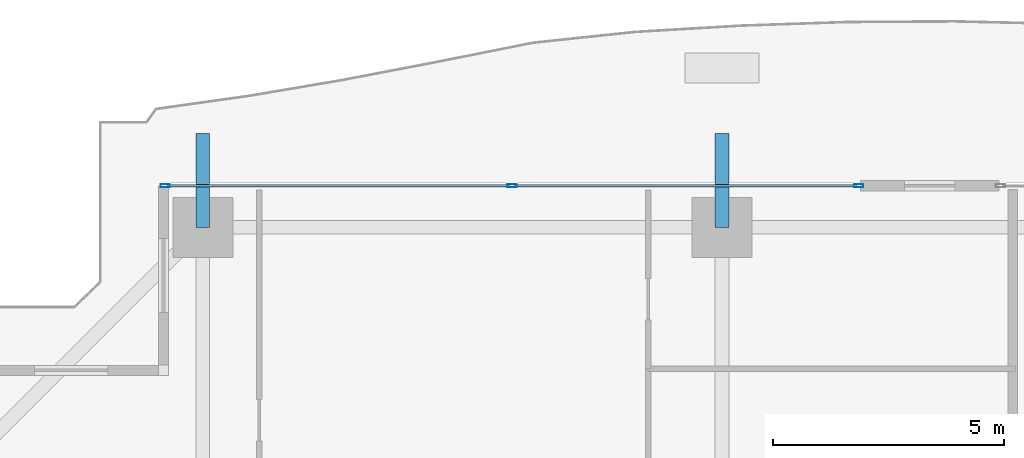
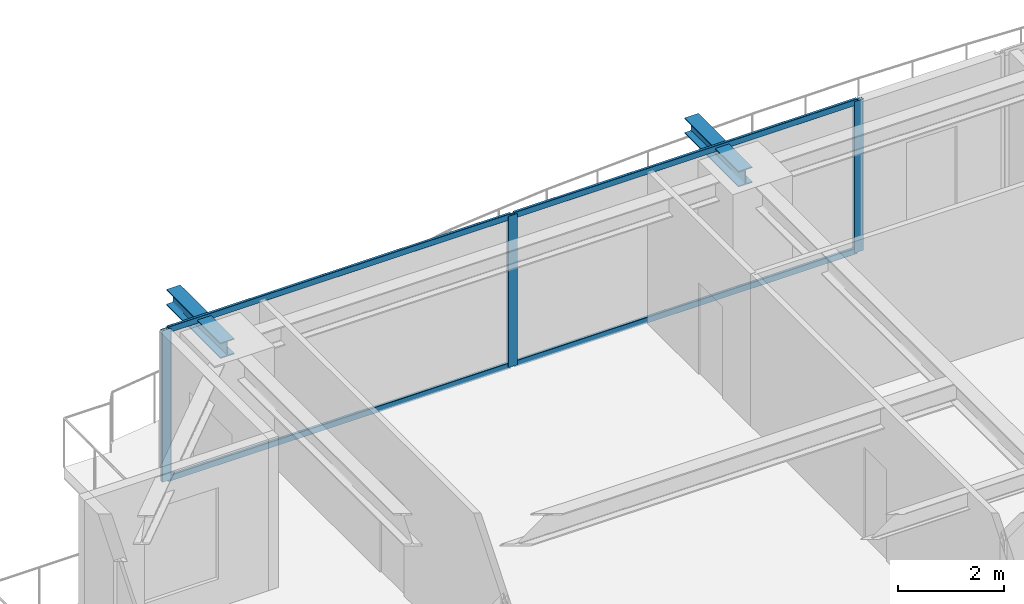
# One storey, part 21 of 38: 7 members, 2 beams, 1 element without a shape of its own.
"""IFC4 building model written with IfcOpenShell, lengths in metres."""

from ifc_helpers import new_model, si_unit, direction, frame, origin, origin_2d, place, context, subcontext, project, spatial, hollow_rectangle, i_section, extrude, source, transform, mapped, material, layer, layer_set, material_profile, profile_set, type_object, element, aggregate, save


model = new_model("IFC4")

# Units and contexts
model_context = context("Model", 3, precision=1e-05, world=origin(), true_north=direction((0.0, 1.0)))
body_context = subcontext(model_context, "Body", "Model", "MODEL_VIEW")
ifc_project = project(units=[si_unit("LENGTHUNIT", "METRE"), si_unit("AREAUNIT", "SQUARE_METRE"), si_unit("VOLUMEUNIT", "CUBIC_METRE"), si_unit("PLANEANGLEUNIT", "RADIAN"), si_unit("MASSUNIT", "GRAM", prefix="KILO")], contexts=[model_context])

# Site, building, storey
site_placement = place(None, origin())
site = spatial("IfcSite", under=ifc_project, at=site_placement, CompositionType="ELEMENT")
building_placement = place(site_placement, origin())
building = spatial("IfcBuilding", under=site, at=building_placement, Name="Serunith Strait Residences", CompositionType="ELEMENT")
storey_placement = place(building_placement, frame((0.0, 0.0, 183.89990234375)))
storey = spatial("IfcBuildingStorey", under=building, at=storey_placement, Name="L46", CompositionType="ELEMENT", Elevation=183.89990234375)

# Beams
ifc_material_1 = material(Name="Steel S355J2", Category="steel")
ifc_material_profile_1 = material_profile(ifc_material_1, i_section(OverallWidth=0.300048828125, OverallDepth=0.360107421875, WebThickness=0.012451171875, FlangeThickness=0.0224609375, FilletRadius=0.027099609375, at=origin_2d()), Name="HEB 360")
ifc_profile_set_1 = profile_set([ifc_material_profile_1], Name="Steel S355J2")
beam_type = type_object("IfcBeamType", Name="BM-HEB360", PredefinedType="BEAM", material=ifc_profile_set_1)
shared_shape_1 = source(origin(), body_context, "Body", "SweptSolid", [
    extrude(i_section(OverallWidth=0.300048828125, OverallDepth=0.360107421875, WebThickness=0.012451171875, FlangeThickness=0.0224609375, FilletRadius=0.027099609375, at=origin_2d()), origin(), (0.0, 0.0, 1.0), 2.02978515625),
])
for number, where, z_axis, x_axis, name in (
    (1, (16.64990234375, 48.10009765625, 3.277099609375), (0.0, 1.0, 0.0), (-1.0, 0.0, 0.0), "L47 Cantilevered Balcony Rib TC-N1"),
    (2, (27.89990234375, 48.10009765625, 3.277099609375), (0.0, 1.0, 0.0), (-1.0, 0.0, 0.0), "L47 Cantilevered Balcony Rib TC-N2"),
):
    element("IfcBeam", number, at=place(storey_placement, frame(where, z_axis=z_axis, x_axis=x_axis)), inside=storey, type_object=beam_type, Name=name, PredefinedType="BEAM", context=body_context, shape_type="MappedRepresentation", body=[
        mapped(shared_shape_1, transform((0.0, 0.0, 0.0), scale=1.0)),
    ])

# Curtain wall, members
ifc_material_2 = material(Name="Pale-Champagne Anodised Aluminium", Category="aluminium")
ifc_layer = layer(ifc_material_2, 0.199951171875, Name="Pale-Champagne Anodised Aluminium")
ifc_layer_set = layer_set([ifc_layer], Name="Pale-Champagne Anodised Aluminium")
curtain_wall_type = type_object("IfcCurtainWallType", Name="CW-SYS2", PredefinedType="NOTDEFINED", material=ifc_layer_set)
curtain_wall_placement = place(storey_placement, origin())
curtain_wall = element("IfcCurtainWall", 3, at=curtain_wall_placement, inside=storey, type_object=curtain_wall_type, Name="L46 N Unitised Fritted Curtain Wall", PredefinedType="NOTDEFINED")
ifc_material_profile_2 = material_profile(ifc_material_2, hollow_rectangle(XDim=0.070068359375, YDim=0.199951171875, WallThickness=0.00390625, InnerFilletRadius=0.006103515625, OuterFilletRadius=0.010009765625, at=origin_2d()), Name="ALU 200x70x4")
ifc_profile_set_2 = profile_set([ifc_material_profile_2], Name="Pale-Champagne Anodised Aluminium")
member_type_1 = type_object("IfcMemberType", Name="CW-SYS2-MULL", PredefinedType="MULLION", material=ifc_profile_set_2)
shared_shape_2 = source(origin(), body_context, "Body", "SweptSolid", [
    extrude(hollow_rectangle(XDim=0.070068359375, YDim=0.199951171875, WallThickness=0.00390625, InnerFilletRadius=0.006103515625, OuterFilletRadius=0.010009765625, at=origin_2d()), origin(), (0.0, 0.0, 1.0), 3.47509765625),
])
member_1_placement = place(storey_placement, frame((30.864990234375, 49.0, 0.0), z_axis=(0.0, 0.0, 1.0), x_axis=(0.0, -1.0, 0.0)))
member_1 = element("IfcMember", 4, at=member_1_placement, type_object=member_type_1, Name="CW-2 mullion 1", PredefinedType="MULLION", context=body_context, shape_type="MappedRepresentation", body=[
    mapped(shared_shape_2, transform((0.0, 0.0, 0.0), scale=1.0)),
])
member_2_placement = place(storey_placement, frame((23.35009765625, 49.0, 0.0), z_axis=(0.0, 0.0, 1.0), x_axis=(0.0, -1.0, 0.0)))
member_2 = element("IfcMember", 5, at=member_2_placement, type_object=member_type_1, Name="CW-2 mullion 2", PredefinedType="MULLION", context=body_context, shape_type="MappedRepresentation", body=[
    mapped(shared_shape_2, transform((0.0, 0.0, 0.0), scale=1.0)),
])
member_3_placement = place(storey_placement, frame((15.8349609375, 49.0, 0.0), z_axis=(0.0, 0.0, 1.0), x_axis=(0.0, -1.0, 0.0)))
member_3 = element("IfcMember", 6, at=member_3_placement, type_object=member_type_1, Name="CW-2 mullion 3", PredefinedType="MULLION", context=body_context, shape_type="MappedRepresentation", body=[
    mapped(shared_shape_2, transform((0.0, 0.0, 0.0), scale=1.0)),
])
ifc_material_profile_3 = material_profile(ifc_material_2, hollow_rectangle(XDim=0.06005859375, YDim=0.139892578125, WallThickness=0.00341796875, InnerFilletRadius=0.00537109375, OuterFilletRadius=0.0087890625, at=origin_2d()), Name="ALU 140x60x3.5")
ifc_profile_set_3 = profile_set([ifc_material_profile_3], Name="Pale-Champagne Anodised Aluminium")
member_type_2 = type_object("IfcMemberType", Name="CW-SYS2-TRAN", PredefinedType="USERDEFINED", material=ifc_profile_set_3)
shared_shape_3 = source(origin(), body_context, "Body", "SweptSolid", [
    extrude(hollow_rectangle(XDim=0.06005859375, YDim=0.139892578125, WallThickness=0.00341796875, InnerFilletRadius=0.00537109375, OuterFilletRadius=0.0087890625, at=origin_2d()), origin(), (0.0, 0.0, 1.0), 7.44482421875),
])
member_4_placement = place(storey_placement, frame((23.31494140625, 49.0, 0.030029296875), z_axis=(-1.0, 0.0, 0.0), x_axis=(0.0, -1.0, 0.0)))
member_4 = element("IfcMember", 7, at=member_4_placement, type_object=member_type_2, Name="CW-2 transom 2.1", ObjectType="TRANSOM", PredefinedType="USERDEFINED", context=body_context, shape_type="MappedRepresentation", body=[
    mapped(shared_shape_3, transform((0.0, 0.0, 0.0), scale=1.0)),
])
member_5_placement = place(storey_placement, frame((23.31494140625, 49.0, 3.445068359375), z_axis=(-1.0, 0.0, 0.0), x_axis=(0.0, -1.0, 0.0)))
member_5 = element("IfcMember", 8, at=member_5_placement, type_object=member_type_2, Name="CW-2 transom 2.2", ObjectType="TRANSOM", PredefinedType="USERDEFINED", context=body_context, shape_type="MappedRepresentation", body=[
    mapped(shared_shape_3, transform((0.0, 0.0, 0.0), scale=1.0)),
])
shared_shape_4 = source(origin(), body_context, "Body", "SweptSolid", [
    extrude(hollow_rectangle(XDim=0.06005859375, YDim=0.139892578125, WallThickness=0.00341796875, InnerFilletRadius=0.00537109375, OuterFilletRadius=0.0087890625, at=origin_2d()), origin(), (0.0, 0.0, 1.0), 7.445068359375),
])
member_6_placement = place(storey_placement, frame((30.830078125, 49.0, 0.030029296875), z_axis=(-1.0, 0.0, 0.0), x_axis=(0.0, -1.0, 0.0)))
member_6 = element("IfcMember", 9, at=member_6_placement, type_object=member_type_2, Name="CW-2 transom 1.1", ObjectType="TRANSOM", PredefinedType="USERDEFINED", context=body_context, shape_type="MappedRepresentation", body=[
    mapped(shared_shape_4, transform((0.0, 0.0, 0.0), scale=1.0)),
])
member_7_placement = place(storey_placement, frame((30.830078125, 49.0, 3.445068359375), z_axis=(-1.0, 0.0, 0.0), x_axis=(0.0, -1.0, 0.0)))
member_7 = element("IfcMember", 10, at=member_7_placement, type_object=member_type_2, Name="CW-2 transom 1.2", ObjectType="TRANSOM", PredefinedType="USERDEFINED", context=body_context, shape_type="MappedRepresentation", body=[
    mapped(shared_shape_4, transform((0.0, 0.0, 0.0), scale=1.0)),
])
aggregate(curtain_wall, [member_1, member_2, member_3, member_6, member_7, member_4, member_5])

save(model, "model.ifc")
